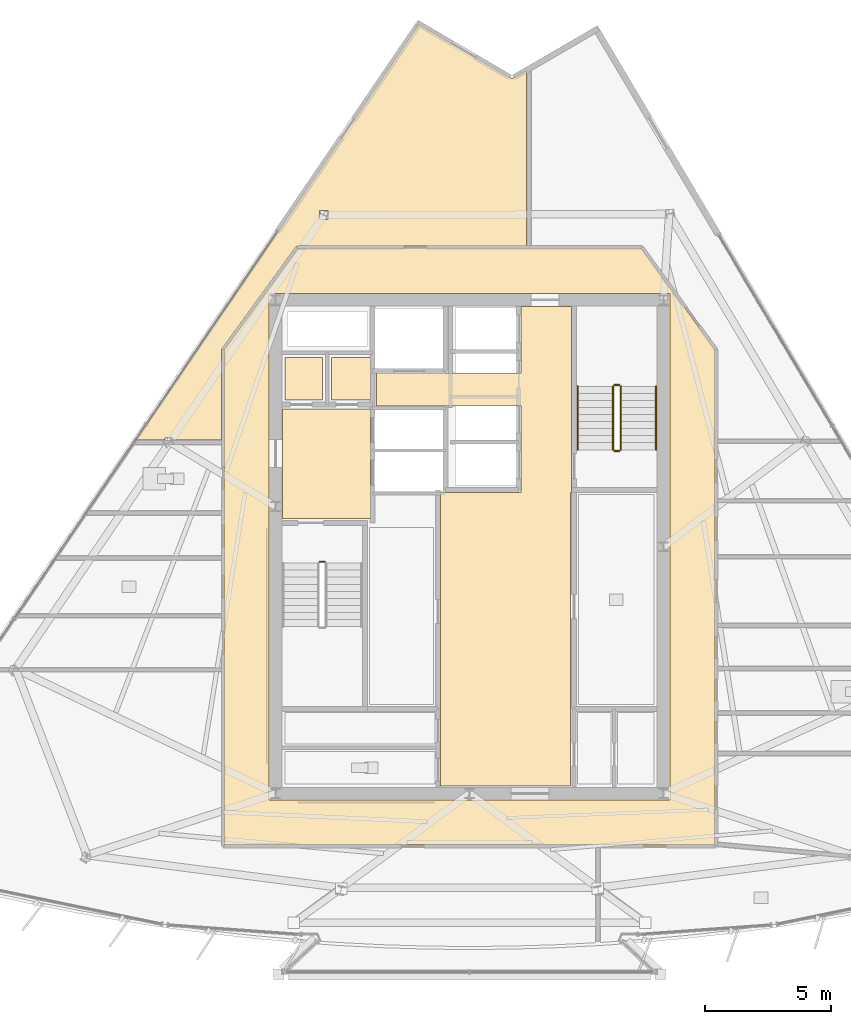
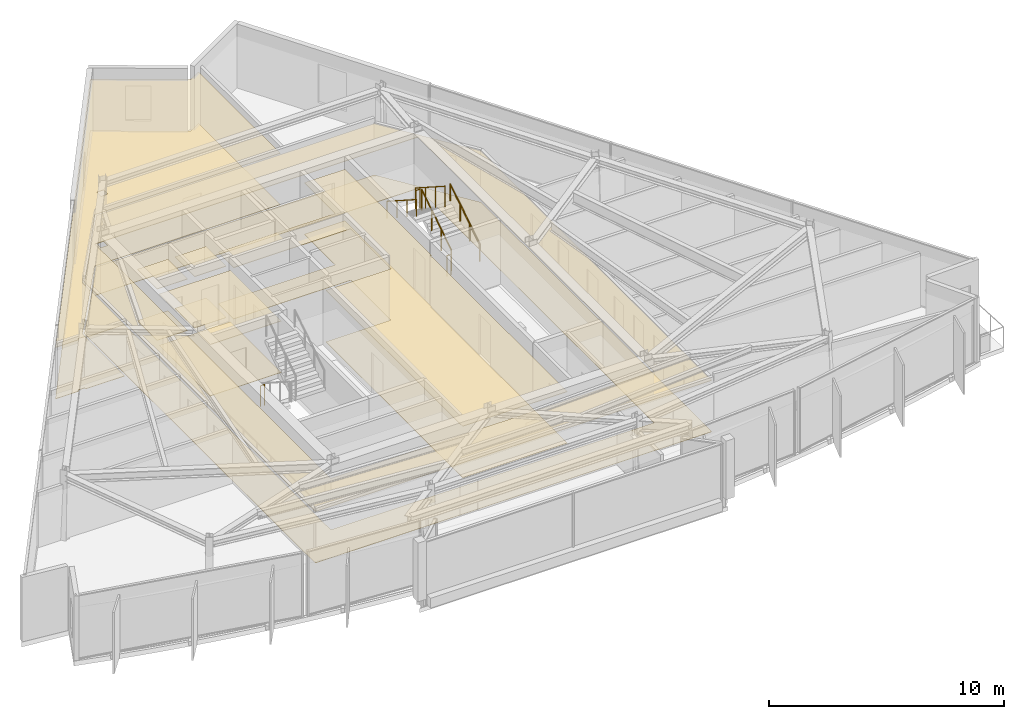
# One storey, part 11 of 13: 12 coverings, 7 railings.
"""IFC4 building model written with IfcOpenShell, lengths in metres."""

from ifc_helpers import new_model, si_unit, direction, frame, origin, origin_2d, place, context, subcontext, project, spatial, polyline, circle, outline, extrude, material, layer, layer_set, type_object, element, save


model = new_model("IFC4")

# Units and contexts
model_context = context("Model", 3, precision=1e-05, world=origin(), true_north=direction((0.0, 1.0)))
body_context = subcontext(model_context, "Body", "Model", "MODEL_VIEW")
ifc_project = project(units=[si_unit("LENGTHUNIT", "METRE"), si_unit("AREAUNIT", "SQUARE_METRE"), si_unit("VOLUMEUNIT", "CUBIC_METRE"), si_unit("PLANEANGLEUNIT", "RADIAN"), si_unit("MASSUNIT", "GRAM", prefix="KILO")], contexts=[model_context])

# Site, building, storey
site_placement = place(None, origin())
site = spatial("IfcSite", under=ifc_project, at=site_placement, CompositionType="ELEMENT")
building_placement = place(site_placement, origin())
building = spatial("IfcBuilding", under=site, at=building_placement, Name="Savorim Split Tower", CompositionType="ELEMENT")
storey_placement = place(building_placement, frame((0.0, 0.0, 283.199951171875)))
storey = spatial("IfcBuildingStorey", under=building, at=storey_placement, Name="L75", CompositionType="ELEMENT", Elevation=283.199951171875)

# Coverings
ifc_material_1 = material(Name="Mineral Fibre Acoustic Ceiling")
ifc_layer_1 = layer(ifc_material_1, 0.02490234375)
ifc_layer_set_1 = layer_set([ifc_layer_1], Name="COV-CEIL-25")
covering_type_1 = type_object("IfcCoveringType", Name="COV-CEIL-25", PredefinedType="CEILING", material=ifc_layer_set_1)
covering_1_placement = place(storey_placement, frame((0.0, 0.0, 2.670166015625)))
element("IfcCovering", 1, at=covering_1_placement, inside=storey, type_object=covering_type_1, Name="L75 Firefighting Lift Lobby Acoustic Ceiling", PredefinedType="CEILING", context=body_context, shape_type="SweptSolid", body=[
    extrude(outline(polyline([(-7.429931640625, 5.8701171875), (-7.429931640625, 1.530029296875), (-3.929931640625, 1.530029296875), (-3.929931640625, 5.8701171875), (-7.429931640625, 5.8701171875)])), origin(), (0.0, 0.0, 1.0), 0.02490234375),
])
covering_2_placement = place(storey_placement, frame((0.0, 0.0, 2.670166015625)))
element("IfcCovering", 2, at=covering_2_placement, inside=storey, type_object=covering_type_1, Name="L75 Electrical Riser Acoustic Ceiling", PredefinedType="CEILING", context=body_context, shape_type="SweptSolid", body=[
    extrude(outline(polyline([(-7.320068359375, 7.919921875), (-7.320068359375, 6.22998046875), (-5.830078125, 6.22998046875), (-5.830078125, 7.919921875), (-7.320068359375, 7.919921875)])), origin(), (0.0, 0.0, 1.0), 0.02490234375),
])
covering_3_placement = place(storey_placement, frame((0.0, 0.0, 2.670166015625)))
element("IfcCovering", 3, at=covering_3_placement, inside=storey, type_object=covering_type_1, Name="L75 Telecom Riser Acoustic Ceiling", PredefinedType="CEILING", context=body_context, shape_type="SweptSolid", body=[
    extrude(outline(polyline([(-5.469970703125, 7.919921875), (-5.469970703125, 6.22998046875), (-3.929931640625, 6.22998046875), (-3.929931640625, 7.919921875), (-5.469970703125, 7.919921875)])), origin(), (0.0, 0.0, 1.0), 0.02490234375),
])
covering_4_placement = place(storey_placement, frame((0.0, 0.0, 2.670166015625)))
element("IfcCovering", 4, at=covering_4_placement, inside=storey, type_object=covering_type_1, Name="L75 Lift Lobby Acoustic Ceiling", PredefinedType="CEILING", context=body_context, shape_type="SweptSolid", body=[
    extrude(outline(polyline([(2.050048828125, 2.550048828125), (-1.14990234375, 2.550048828125), (-1.14990234375, -9.10009765625), (4.0, -9.10009765625), (4.0, 2.550048828125), (4.050048828125, 2.550048828125), (4.050048828125, 5.97998046875), (4.050048828125, 7.300048828125), (4.050048828125, 9.929931640625), (2.050048828125, 9.929931640625), (2.050048828125, 7.300048828125), (-3.699951171875, 7.300048828125), (-3.699951171875, 5.97998046875), (2.050048828125, 5.97998046875), (2.050048828125, 2.550048828125)])), origin(), (0.0, 0.0, 1.0), 0.02490234375),
])
covering_5_placement = place(storey_placement, frame((0.0, 0.0, 2.670166015625)))
element("IfcCovering", 5, at=covering_5_placement, inside=storey, type_object=covering_type_1, Name="L75 Corridor Acoustic Ceiling", PredefinedType="CEILING", context=body_context, shape_type="SweptSolid", body=[
    extrude(outline(polyline([(6.809326171875, 12.2490234375), (6.8046875, 12.249755859375), (6.800048828125, 12.25), (-6.800048828125, 12.25), (-6.8046875, 12.249755859375), (-6.809326171875, 12.2490234375), (-6.81396484375, 12.248046875), (-6.818359375, 12.24658203125), (-6.82275390625, 12.244384765625), (-6.826904296875, 12.2421875), (-6.830810546875, 12.239501953125), (-6.834228515625, 12.236328125), (-6.83740234375, 12.23291015625), (-6.840576171875, 12.229248046875), (-9.740478515625, 8.229248046875), (-9.743408203125, 8.22509765625), (-9.74560546875, 8.22021484375), (-9.74755859375, 8.21533203125), (-9.748779296875, 8.21044921875), (-9.749755859375, 8.205078125), (-9.75, 8.199951171875), (-9.75, -11.39990234375), (-9.749755859375, -11.40478515625), (-9.7490234375, -11.409912109375), (-9.747802734375, -11.41455078125), (-9.74609375, -11.419189453125), (-9.744140625, -11.423583984375), (-9.74169921875, -11.427734375), (-9.73876953125, -11.431640625), (-9.7353515625, -11.435302734375), (-9.731689453125, -11.438720703125), (-9.727783203125, -11.441650390625), (-9.7236328125, -11.444091796875), (-9.718994140625, -11.4462890625), (-9.714599609375, -11.44775390625), (-9.709716796875, -11.448974609375), (-9.704833984375, -11.44970703125), (-9.699951171875, -11.449951171875), (9.699951171875, -11.449951171875), (9.704833984375, -11.44970703125), (9.709716796875, -11.448974609375), (9.714599609375, -11.44775390625), (9.718994140625, -11.4462890625), (9.7236328125, -11.444091796875), (9.727783203125, -11.441650390625), (9.731689453125, -11.438720703125), (9.7353515625, -11.435302734375), (9.73876953125, -11.431640625), (9.74169921875, -11.427734375), (9.744140625, -11.423583984375), (9.74609375, -11.419189453125), (9.747802734375, -11.41455078125), (9.7490234375, -11.409912109375), (9.749755859375, -11.40478515625), (9.75, -11.39990234375), (9.75, 8.199951171875), (9.749755859375, 8.205078125), (9.748779296875, 8.21044921875), (9.74755859375, 8.21533203125), (9.74560546875, 8.22021484375), (9.743408203125, 8.22509765625), (9.740478515625, 8.229248046875), (6.840576171875, 12.229248046875), (6.83740234375, 12.23291015625), (6.834228515625, 12.236328125), (6.830810546875, 12.239501953125), (6.826904296875, 12.2421875), (6.82275390625, 12.244384765625), (6.818359375, 12.24658203125), (6.81396484375, 12.248046875), (6.809326171875, 12.2490234375)]), holes=[polyline([(-7.949951171875, 10.449951171875), (-7.949951171875, -9.64990234375), (7.949951171875, -9.64990234375), (7.949951171875, 10.449951171875), (-7.949951171875, 10.449951171875)])]), origin(), (0.0, 0.0, 1.0), 0.02490234375),
])
covering_6_placement = place(storey_placement, frame((0.0, 0.0, 2.670166015625)))
element("IfcCovering", 6, at=covering_6_placement, inside=storey, type_object=covering_type_1, Name="L75 Maker Workshop Acoustic Ceiling", PredefinedType="CEILING", context=body_context, shape_type="SweptSolid", body=[
    extrude(outline(polyline([(1.64794921875, 19.00146484375), (1.63720703125, 19.005859375), (1.626953125, 19.010986328125), (-2.01171875, 21.149658203125), (-13.245361328125, 4.63623046875), (-12.092529296875, 4.63623046875), (-12.092529296875, 4.71630859375), (-11.763671875, 4.71630859375), (-11.763671875, 4.63623046875), (-9.840087890625, 4.63623046875), (-9.840087890625, 8.199951171875), (-9.839111328125, 8.214599609375), (-9.8369140625, 8.22900390625), (-9.833251953125, 8.2431640625), (-9.827880859375, 8.2568359375), (-9.8212890625, 8.27001953125), (-9.813232421875, 8.2822265625), (-6.913330078125, 12.2822265625), (-6.905029296875, 12.29248046875), (-6.89599609375, 12.302001953125), (-6.885986328125, 12.310546875), (-6.875, 12.318115234375), (-6.863525390625, 12.32470703125), (-6.8515625, 12.330078125), (-6.839111328125, 12.33447265625), (-6.826416015625, 12.33740234375), (-6.813232421875, 12.33935546875), (-6.800048828125, 12.340087890625), (2.26123046875, 12.340087890625), (2.26123046875, 19.309814453125), (1.748291015625, 19.010986328125), (1.738037109375, 19.005615234375), (1.727294921875, 19.001220703125), (1.71630859375, 18.998046875), (1.704833984375, 18.995849609375), (1.693359375, 18.99462890625), (1.681884765625, 18.99462890625), (1.67041015625, 18.995849609375), (1.658935546875, 18.998046875), (1.64794921875, 19.00146484375)]), holes=[polyline([(-5.624755859375, 13.739990234375), (-5.953857421875, 13.739990234375), (-5.953857421875, 13.39013671875), (-5.624755859375, 13.39013671875), (-5.624755859375, 13.739990234375)])]), origin(), (0.0, 0.0, 1.0), 0.02490234375),
])
ifc_material_2 = material(Name="Porcelain Stoneware Flooring", Category="masonry")
ifc_layer_2 = layer(ifc_material_2, 0.02001953125)
ifc_layer_set_2 = layer_set([ifc_layer_2], Name="COV-FLOR-20")
covering_type_2 = type_object("IfcCoveringType", Name="COV-FLOR-20", PredefinedType="FLOORING", material=ifc_layer_set_2)
covering_7_placement = place(storey_placement, origin())
element("IfcCovering", 7, at=covering_7_placement, inside=storey, type_object=covering_type_2, Name="L75 Firefighting Lift Lobby Porcelain Flooring", PredefinedType="FLOORING", context=body_context, shape_type="SweptSolid", body=[
    extrude(outline(polyline([(-7.429931640625, 5.8701171875), (-7.429931640625, 1.530029296875), (-3.929931640625, 1.530029296875), (-3.929931640625, 5.8701171875), (-7.429931640625, 5.8701171875)])), origin(), (0.0, 0.0, 1.0), 0.02001953125),
])
covering_8_placement = place(storey_placement, origin())
element("IfcCovering", 8, at=covering_8_placement, inside=storey, type_object=covering_type_2, Name="L75 Electrical Riser Porcelain Flooring", PredefinedType="FLOORING", context=body_context, shape_type="SweptSolid", body=[
    extrude(outline(polyline([(-7.320068359375, 7.919921875), (-7.320068359375, 6.22998046875), (-5.830078125, 6.22998046875), (-5.830078125, 7.919921875), (-7.320068359375, 7.919921875)])), origin(), (0.0, 0.0, 1.0), 0.02001953125),
])
covering_9_placement = place(storey_placement, origin())
element("IfcCovering", 9, at=covering_9_placement, inside=storey, type_object=covering_type_2, Name="L75 Telecom Riser Porcelain Flooring", PredefinedType="FLOORING", context=body_context, shape_type="SweptSolid", body=[
    extrude(outline(polyline([(-5.469970703125, 7.919921875), (-5.469970703125, 6.22998046875), (-3.929931640625, 6.22998046875), (-3.929931640625, 7.919921875), (-5.469970703125, 7.919921875)])), origin(), (0.0, 0.0, 1.0), 0.02001953125),
])
covering_10_placement = place(storey_placement, origin())
element("IfcCovering", 10, at=covering_10_placement, inside=storey, type_object=covering_type_2, Name="L75 Lift Lobby Porcelain Flooring", PredefinedType="FLOORING", context=body_context, shape_type="SweptSolid", body=[
    extrude(outline(polyline([(2.050048828125, 2.550048828125), (-1.14990234375, 2.550048828125), (-1.14990234375, -9.10009765625), (4.0, -9.10009765625), (4.0, 2.550048828125), (4.050048828125, 2.550048828125), (4.050048828125, 5.97998046875), (4.050048828125, 7.300048828125), (4.050048828125, 9.929931640625), (2.050048828125, 9.929931640625), (2.050048828125, 7.300048828125), (-3.699951171875, 7.300048828125), (-3.699951171875, 5.97998046875), (2.050048828125, 5.97998046875), (2.050048828125, 2.550048828125)])), origin(), (0.0, 0.0, 1.0), 0.02001953125),
])
covering_11_placement = place(storey_placement, origin())
element("IfcCovering", 11, at=covering_11_placement, inside=storey, type_object=covering_type_2, Name="L75 Corridor Porcelain Flooring", PredefinedType="FLOORING", context=body_context, shape_type="SweptSolid", body=[
    extrude(outline(polyline([(6.809326171875, 12.2490234375), (6.8046875, 12.249755859375), (6.800048828125, 12.25), (-6.800048828125, 12.25), (-6.8046875, 12.249755859375), (-6.809326171875, 12.2490234375), (-6.81396484375, 12.248046875), (-6.818359375, 12.24658203125), (-6.82275390625, 12.244384765625), (-6.826904296875, 12.2421875), (-6.830810546875, 12.239501953125), (-6.834228515625, 12.236328125), (-6.83740234375, 12.23291015625), (-6.840576171875, 12.229248046875), (-9.740478515625, 8.229248046875), (-9.743408203125, 8.22509765625), (-9.74560546875, 8.22021484375), (-9.74755859375, 8.21533203125), (-9.748779296875, 8.21044921875), (-9.749755859375, 8.205078125), (-9.75, 8.199951171875), (-9.75, -11.39990234375), (-9.749755859375, -11.40478515625), (-9.7490234375, -11.409912109375), (-9.747802734375, -11.41455078125), (-9.74609375, -11.419189453125), (-9.744140625, -11.423583984375), (-9.74169921875, -11.427734375), (-9.73876953125, -11.431640625), (-9.7353515625, -11.435302734375), (-9.731689453125, -11.438720703125), (-9.727783203125, -11.441650390625), (-9.7236328125, -11.444091796875), (-9.718994140625, -11.4462890625), (-9.714599609375, -11.44775390625), (-9.709716796875, -11.448974609375), (-9.704833984375, -11.44970703125), (-9.699951171875, -11.449951171875), (9.699951171875, -11.449951171875), (9.704833984375, -11.44970703125), (9.709716796875, -11.448974609375), (9.714599609375, -11.44775390625), (9.718994140625, -11.4462890625), (9.7236328125, -11.444091796875), (9.727783203125, -11.441650390625), (9.731689453125, -11.438720703125), (9.7353515625, -11.435302734375), (9.73876953125, -11.431640625), (9.74169921875, -11.427734375), (9.744140625, -11.423583984375), (9.74609375, -11.419189453125), (9.747802734375, -11.41455078125), (9.7490234375, -11.409912109375), (9.749755859375, -11.40478515625), (9.75, -11.39990234375), (9.75, 8.199951171875), (9.749755859375, 8.205078125), (9.748779296875, 8.21044921875), (9.74755859375, 8.21533203125), (9.74560546875, 8.22021484375), (9.743408203125, 8.22509765625), (9.740478515625, 8.229248046875), (6.840576171875, 12.229248046875), (6.83740234375, 12.23291015625), (6.834228515625, 12.236328125), (6.830810546875, 12.239501953125), (6.826904296875, 12.2421875), (6.82275390625, 12.244384765625), (6.818359375, 12.24658203125), (6.81396484375, 12.248046875), (6.809326171875, 12.2490234375)]), holes=[polyline([(-7.949951171875, 10.449951171875), (-7.949951171875, -9.64990234375), (7.949951171875, -9.64990234375), (7.949951171875, 10.449951171875), (-7.949951171875, 10.449951171875)])]), origin(), (0.0, 0.0, 1.0), 0.02001953125),
])
covering_12_placement = place(storey_placement, origin())
element("IfcCovering", 12, at=covering_12_placement, inside=storey, type_object=covering_type_2, Name="L75 Maker Workshop Porcelain Flooring", PredefinedType="FLOORING", context=body_context, shape_type="SweptSolid", body=[
    extrude(outline(polyline([(1.64794921875, 19.00146484375), (1.63720703125, 19.005859375), (1.626953125, 19.010986328125), (-2.01171875, 21.149658203125), (-13.245361328125, 4.63623046875), (-12.092529296875, 4.63623046875), (-12.092529296875, 4.71630859375), (-11.763671875, 4.71630859375), (-11.763671875, 4.63623046875), (-9.840087890625, 4.63623046875), (-9.840087890625, 8.199951171875), (-9.839111328125, 8.214599609375), (-9.8369140625, 8.22900390625), (-9.833251953125, 8.2431640625), (-9.827880859375, 8.2568359375), (-9.8212890625, 8.27001953125), (-9.813232421875, 8.2822265625), (-6.913330078125, 12.2822265625), (-6.905029296875, 12.29248046875), (-6.89599609375, 12.302001953125), (-6.885986328125, 12.310546875), (-6.875, 12.318115234375), (-6.863525390625, 12.32470703125), (-6.8515625, 12.330078125), (-6.839111328125, 12.33447265625), (-6.826416015625, 12.33740234375), (-6.813232421875, 12.33935546875), (-6.800048828125, 12.340087890625), (2.26123046875, 12.340087890625), (2.26123046875, 19.309814453125), (1.748291015625, 19.010986328125), (1.738037109375, 19.005615234375), (1.727294921875, 19.001220703125), (1.71630859375, 18.998046875), (1.704833984375, 18.995849609375), (1.693359375, 18.99462890625), (1.681884765625, 18.99462890625), (1.67041015625, 18.995849609375), (1.658935546875, 18.998046875), (1.64794921875, 19.00146484375)]), holes=[polyline([(-5.624755859375, 13.739990234375), (-5.953857421875, 13.739990234375), (-5.953857421875, 13.39013671875), (-5.624755859375, 13.39013671875), (-5.624755859375, 13.739990234375)])]), origin(), (0.0, 0.0, 1.0), 0.02001953125),
])

# Railings
ifc_material_3 = material(Name="Galvanised Painted Steel Balustrade", Category="steel")
railing_type_1 = type_object("IfcRailingType", Name="RLG-HR-900", PredefinedType="HANDRAIL", material=ifc_material_3)
railing_1_placement = place(storey_placement, frame((7.39990234375, 4.25, 0.179931640625)))
element("IfcRailing", 13, at=railing_1_placement, inside=storey, type_object=railing_type_1, Name="L75 ST-2 stair handrail 1", PredefinedType="HANDRAIL", context=body_context, shape_type="SweptSolid", body=[
    extrude(circle(Radius=0.02392578125, at=origin_2d()), frame((0.0, 0.0, 0.8759765625), z_axis=(0.0, 0.841162588446, 0.540782303519), x_axis=(-1.0, 0.0, 0.0)), (0.0, 0.0, 1.0), 2.995849609375),
    extrude(circle(Radius=0.02099609375, at=origin_2d()), origin(), (0.0, 0.0, 1.0), 0.851806640625),
    extrude(circle(Radius=0.02099609375, at=origin_2d()), frame((0.0, 0.840087890625, 0.5400390625)), (0.0, 0.0, 1.0), 0.851806640625),
    extrude(circle(Radius=0.02099609375, at=origin_2d()), frame((0.0, 1.679931640625, 1.080078125)), (0.0, 0.0, 1.0), 0.851806640625),
    extrude(circle(Radius=0.02099609375, at=origin_2d()), frame((0.0, 2.52001953125, 1.6201171875)), (0.0, 0.0, 1.0), 0.851806640625),
])
railing_2_placement = place(storey_placement, frame((4.300048828125, 6.77001953125, 1.97998046875)))
element("IfcRailing", 14, at=railing_2_placement, inside=storey, type_object=railing_type_1, Name="L75 ST-2 stair handrail 2", PredefinedType="HANDRAIL", context=body_context, shape_type="SweptSolid", body=[
    extrude(circle(Radius=0.02392578125, at=origin_2d()), frame((0.0, 0.0, 0.8759765625), z_axis=(0.0, -0.841162588446, 0.540782303519), x_axis=(1.0, 0.0, 0.0)), (0.0, 0.0, 1.0), 2.995849609375),
    extrude(circle(Radius=0.02099609375, at=origin_2d()), origin(), (0.0, 0.0, 1.0), 0.851806640625),
    extrude(circle(Radius=0.02099609375, at=origin_2d()), frame((0.0, -0.840087890625, 0.5400390625)), (0.0, 0.0, 1.0), 0.851806640625),
    extrude(circle(Radius=0.02099609375, at=origin_2d()), frame((0.0, -1.679931640625, 1.080078125)), (0.0, 0.0, 1.0), 0.851806640625),
    extrude(circle(Radius=0.02099609375, at=origin_2d()), frame((0.0, -2.52001953125, 1.6201171875)), (0.0, 0.0, 1.0), 0.851806640625),
])
railing_type_2 = type_object("IfcRailingType", Name="RLG-STG-1100", PredefinedType="BALUSTRADE", material=ifc_material_3)
railing_3_placement = place(storey_placement, frame((-5.949951171875, -0.199951171875, 0.0)))
element("IfcRailing", 15, at=railing_3_placement, inside=storey, type_object=railing_type_2, Name="L75 ST-1 stair guard 4", PredefinedType="BALUSTRADE", context=body_context, shape_type="SweptSolid", body=[
    extrude(circle(Radius=0.02392578125, at=origin_2d()), frame((0.0, 0.0, 1.076171875), z_axis=(1.0, 0.0, 0.0), x_axis=(0.0, 1.0, 0.0)), (0.0, 0.0, 1.0), 0.199951171875),
    extrude(circle(Radius=0.02099609375, at=origin_2d()), origin(), (0.0, 0.0, 1.0), 1.052001953125),
    extrude(circle(Radius=0.02099609375, at=origin_2d()), frame((0.199951171875, 0.0, 0.0)), (0.0, 0.0, 1.0), 1.052001953125),
])
railing_4_placement = place(storey_placement, frame((6.0, 4.25, 0.179931640625)))
element("IfcRailing", 16, at=railing_4_placement, inside=storey, type_object=railing_type_2, Name="L75 ST-2 stair guard 1", PredefinedType="BALUSTRADE", context=body_context, shape_type="SweptSolid", body=[
    extrude(circle(Radius=0.02392578125, at=origin_2d()), frame((0.0, 0.0, 1.076171875), z_axis=(0.0, 0.841162588446, 0.540782303519), x_axis=(-1.0, 0.0, 0.0)), (0.0, 0.0, 1.0), 2.995849609375),
    extrude(circle(Radius=0.02099609375, at=origin_2d()), origin(), (0.0, 0.0, 1.0), 1.052001953125),
    extrude(circle(Radius=0.02099609375, at=origin_2d()), frame((0.0, 0.840087890625, 0.5400390625)), (0.0, 0.0, 1.0), 1.052001953125),
    extrude(circle(Radius=0.02099609375, at=origin_2d()), frame((0.0, 1.679931640625, 1.080078125)), (0.0, 0.0, 1.0), 1.052001953125),
    extrude(circle(Radius=0.02099609375, at=origin_2d()), frame((0.0, 2.52001953125, 1.6201171875)), (0.0, 0.0, 1.0), 1.052001953125),
])
railing_5_placement = place(storey_placement, frame((5.949951171875, 6.820068359375, 1.800048828125)))
element("IfcRailing", 17, at=railing_5_placement, inside=storey, type_object=railing_type_2, Name="L75 ST-2 stair guard 2", PredefinedType="BALUSTRADE", context=body_context, shape_type="SweptSolid", body=[
    extrude(circle(Radius=0.02392578125, at=origin_2d()), frame((0.0, 0.0, 1.076171875), z_axis=(-1.0, 0.0, 0.0), x_axis=(0.0, -1.0, 0.0)), (0.0, 0.0, 1.0), 0.199951171875),
    extrude(circle(Radius=0.02099609375, at=origin_2d()), origin(), (0.0, 0.0, 1.0), 1.052001953125),
    extrude(circle(Radius=0.02099609375, at=origin_2d()), frame((-0.199951171875, 0.0, 0.0)), (0.0, 0.0, 1.0), 1.052001953125),
])
railing_6_placement = place(storey_placement, frame((5.699951171875, 6.77001953125, 1.97998046875)))
element("IfcRailing", 18, at=railing_6_placement, inside=storey, type_object=railing_type_2, Name="L75 ST-2 stair guard 3", PredefinedType="BALUSTRADE", context=body_context, shape_type="SweptSolid", body=[
    extrude(circle(Radius=0.02392578125, at=origin_2d()), frame((0.0, 0.0, 1.076171875), z_axis=(0.0, -0.841162588446, 0.540782303519), x_axis=(1.0, 0.0, 0.0)), (0.0, 0.0, 1.0), 2.995849609375),
    extrude(circle(Radius=0.02099609375, at=origin_2d()), origin(), (0.0, 0.0, 1.0), 1.052001953125),
    extrude(circle(Radius=0.02099609375, at=origin_2d()), frame((0.0, -0.840087890625, 0.5400390625)), (0.0, 0.0, 1.0), 1.052001953125),
    extrude(circle(Radius=0.02099609375, at=origin_2d()), frame((0.0, -1.679931640625, 1.080078125)), (0.0, 0.0, 1.0), 1.052001953125),
    extrude(circle(Radius=0.02099609375, at=origin_2d()), frame((0.0, -2.52001953125, 1.6201171875)), (0.0, 0.0, 1.0), 1.052001953125),
])
railing_7_placement = place(storey_placement, frame((5.949951171875, 4.199951171875, 0.0)))
element("IfcRailing", 19, at=railing_7_placement, inside=storey, type_object=railing_type_2, Name="L75 ST-2 stair guard 4", PredefinedType="BALUSTRADE", context=body_context, shape_type="SweptSolid", body=[
    extrude(circle(Radius=0.02392578125, at=origin_2d()), frame((0.0, 0.0, 1.076171875), z_axis=(-1.0, 0.0, 0.0), x_axis=(0.0, -1.0, 0.0)), (0.0, 0.0, 1.0), 0.199951171875),
    extrude(circle(Radius=0.02099609375, at=origin_2d()), origin(), (0.0, 0.0, 1.0), 1.052001953125),
    extrude(circle(Radius=0.02099609375, at=origin_2d()), frame((-0.199951171875, 0.0, 0.0)), (0.0, 0.0, 1.0), 1.052001953125),
])

save(model, "model.ifc")
